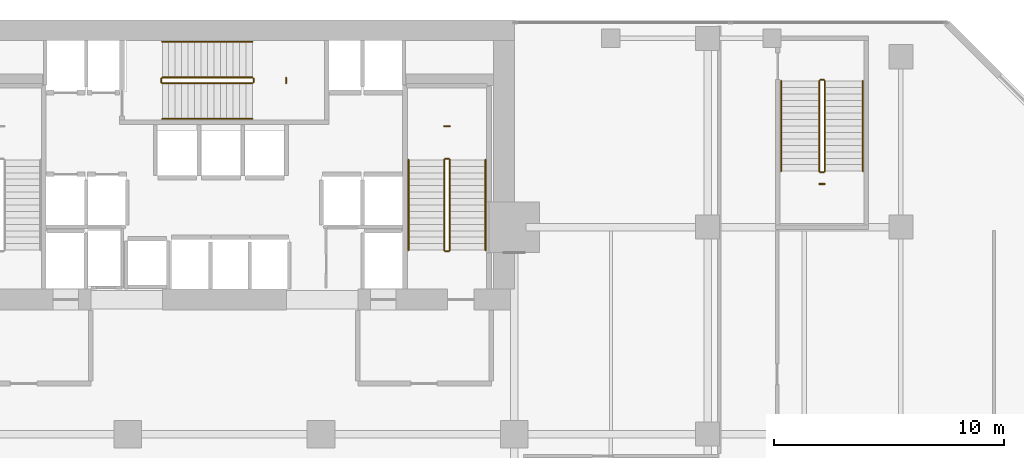
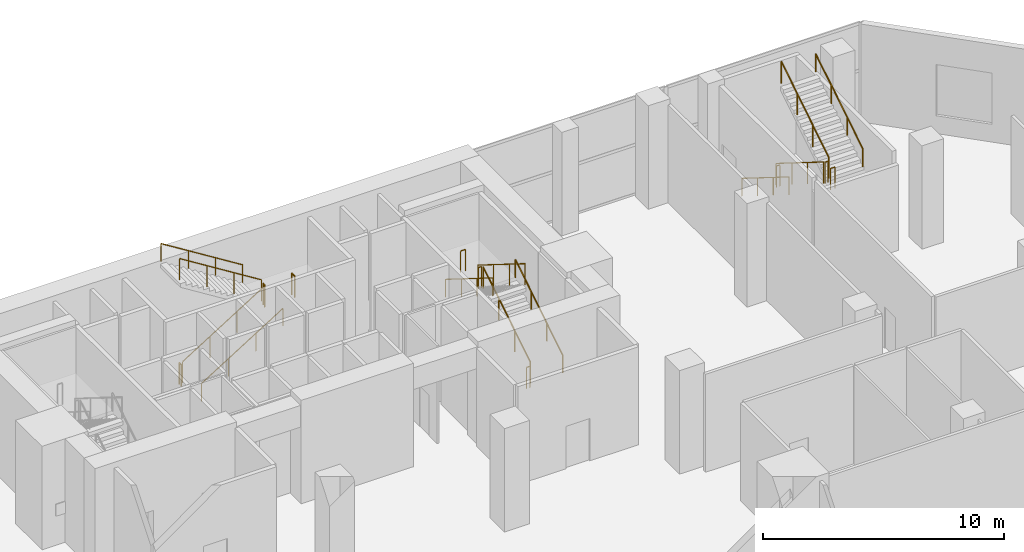
# One storey, part 40 of 40: 21 railings.
"""IFC4 building model written with IfcOpenShell, lengths in metres."""

from ifc_helpers import new_model, si_unit, direction, frame, origin, origin_2d, place, context, subcontext, project, spatial, circle, extrude, material, type_object, element, save


model = new_model("IFC4")

# Units and contexts
model_context = context("Model", 3, precision=1e-05, world=origin(), true_north=direction((0.0, 1.0)))
body_context = subcontext(model_context, "Body", "Model", "MODEL_VIEW")
ifc_project = project(units=[si_unit("LENGTHUNIT", "METRE"), si_unit("AREAUNIT", "SQUARE_METRE"), si_unit("VOLUMEUNIT", "CUBIC_METRE"), si_unit("PLANEANGLEUNIT", "RADIAN"), si_unit("MASSUNIT", "GRAM", prefix="KILO")], contexts=[model_context])

# Site, building, storey
site_placement = place(None, origin())
site = spatial("IfcSite", under=ifc_project, at=site_placement, CompositionType="ELEMENT")
building_placement = place(site_placement, origin())
building = spatial("IfcBuilding", under=site, at=building_placement, Name="Maruvema Waterfront Hotel and Observation Tower", CompositionType="ELEMENT")
storey_placement = place(building_placement, frame((0.0, 0.0, 5.60009765625)))
storey = spatial("IfcBuildingStorey", under=building, at=storey_placement, Name="L01", CompositionType="ELEMENT", Elevation=5.60009765625)

# Railings
ifc_material_1 = material(Name="Brushed stainless steel Grade 316", Category="steel")
railing_type_1 = type_object("IfcRailingType", Name="Ramp Continuous Wall Handrail 920 mm", PredefinedType="HANDRAIL", material=ifc_material_1)
railing_1_placement = place(storey_placement, frame((35.10009765625, 49.699951171875, 0.1748046875)))
element("IfcRailing", 1, at=railing_1_placement, inside=storey, type_object=railing_type_1, Name="L01 ST-02 stair handrail 1", PredefinedType="HANDRAIL", context=body_context, shape_type="SweptSolid", body=[
    extrude(circle(Radius=0.02392578125, at=origin_2d()), frame((0.0, 0.0, 0.89599609375), z_axis=(0.847974566722, 0.0, 0.530036917764), x_axis=(0.0, 1.0, 0.0)), (0.0, 0.0, 1.0), 4.622802734375),
    extrude(circle(Radius=0.02099609375, at=origin_2d()), origin(), (0.0, 0.0, 1.0), 0.871826171875),
    extrude(circle(Radius=0.02099609375, at=origin_2d()), frame((1.306640625, 0.0, 0.816650390625)), (0.0, 0.0, 1.0), 0.871826171875),
    extrude(circle(Radius=0.02099609375, at=origin_2d()), frame((2.61328125, 0.0, 1.633544921875)), (0.0, 0.0, 1.0), 0.871826171875),
    extrude(circle(Radius=0.02099609375, at=origin_2d()), frame((3.919921875, 0.0, 2.4501953125)), (0.0, 0.0, 1.0), 0.871826171875),
])
railing_2_placement = place(storey_placement, frame((39.02001953125, 53.050048828125, 2.7998046875)))
element("IfcRailing", 2, at=railing_2_placement, inside=storey, type_object=railing_type_1, Name="L01 ST-02 stair handrail 2", PredefinedType="HANDRAIL", context=body_context, shape_type="SweptSolid", body=[
    extrude(circle(Radius=0.02392578125, at=origin_2d()), frame((0.0, 0.0, 0.89599609375), z_axis=(-0.847974566722, 0.0, 0.530036917764), x_axis=(0.0, -1.0, 0.0)), (0.0, 0.0, 1.0), 4.622802734375),
    extrude(circle(Radius=0.02099609375, at=origin_2d()), origin(), (0.0, 0.0, 1.0), 0.871826171875),
    extrude(circle(Radius=0.02099609375, at=origin_2d()), frame((-1.306640625, 0.0, 0.816650390625)), (0.0, 0.0, 1.0), 0.871826171875),
    extrude(circle(Radius=0.02099609375, at=origin_2d()), frame((-2.61328125, 0.0, 1.633544921875)), (0.0, 0.0, 1.0), 0.871826171875),
    extrude(circle(Radius=0.02099609375, at=origin_2d()), frame((-3.919921875, 0.0, 2.4501953125)), (0.0, 0.0, 1.0), 0.871826171875),
])
railing_3_placement = place(storey_placement, frame((49.14990234375, 44.0, 0.1748046875)))
element("IfcRailing", 3, at=railing_3_placement, inside=storey, type_object=railing_type_1, Name="L01 ST-03 stair handrail 1", PredefinedType="HANDRAIL", context=body_context, shape_type="SweptSolid", body=[
    extrude(circle(Radius=0.02392578125, at=origin_2d()), frame((0.0, 0.0, 0.89599609375), z_axis=(0.0, 0.847974566722, 0.530036917764), x_axis=(-1.0, 0.0, 0.0)), (0.0, 0.0, 1.0), 4.622802734375),
    extrude(circle(Radius=0.02099609375, at=origin_2d()), origin(), (0.0, 0.0, 1.0), 0.871826171875),
    extrude(circle(Radius=0.02099609375, at=origin_2d()), frame((0.0, 1.306640625, 0.816650390625)), (0.0, 0.0, 1.0), 0.871826171875),
    extrude(circle(Radius=0.02099609375, at=origin_2d()), frame((0.0, 2.61328125, 1.633544921875)), (0.0, 0.0, 1.0), 0.871826171875),
    extrude(circle(Radius=0.02099609375, at=origin_2d()), frame((0.0, 3.919921875, 2.4501953125)), (0.0, 0.0, 1.0), 0.871826171875),
])
railing_4_placement = place(storey_placement, frame((45.800048828125, 47.919921875, 2.7998046875)))
element("IfcRailing", 4, at=railing_4_placement, inside=storey, type_object=railing_type_1, Name="L01 ST-03 stair handrail 2", PredefinedType="HANDRAIL", context=body_context, shape_type="SweptSolid", body=[
    extrude(circle(Radius=0.02392578125, at=origin_2d()), frame((0.0, 0.0, 0.89599609375), z_axis=(0.0, -0.847974566722, 0.530036917764), x_axis=(1.0, 0.0, 0.0)), (0.0, 0.0, 1.0), 4.622802734375),
    extrude(circle(Radius=0.02099609375, at=origin_2d()), origin(), (0.0, 0.0, 1.0), 0.871826171875),
    extrude(circle(Radius=0.02099609375, at=origin_2d()), frame((0.0, -1.306640625, 0.816650390625)), (0.0, 0.0, 1.0), 0.871826171875),
    extrude(circle(Radius=0.02099609375, at=origin_2d()), frame((0.0, -2.61328125, 1.633544921875)), (0.0, 0.0, 1.0), 0.871826171875),
    extrude(circle(Radius=0.02099609375, at=origin_2d()), frame((0.0, -3.919921875, 2.4501953125)), (0.0, 0.0, 1.0), 0.871826171875),
])
railing_5_placement = place(storey_placement, frame((62.0, 51.35009765625, 0.1748046875)))
element("IfcRailing", 5, at=railing_5_placement, inside=storey, type_object=railing_type_1, Name="L01 ST-05 stair handrail 1", PredefinedType="HANDRAIL", context=body_context, shape_type="SweptSolid", body=[
    extrude(circle(Radius=0.02392578125, at=origin_2d()), frame((0.0, 0.0, 0.89599609375), z_axis=(0.0, -0.847989403122, 0.53001318115), x_axis=(1.0, 0.0, 0.0)), (0.0, 0.0, 1.0), 4.622802734375),
    extrude(circle(Radius=0.02099609375, at=origin_2d()), origin(), (0.0, 0.0, 1.0), 0.871826171875),
    extrude(circle(Radius=0.02099609375, at=origin_2d()), frame((0.0, -1.306640625, 0.816650390625)), (0.0, 0.0, 1.0), 0.871826171875),
    extrude(circle(Radius=0.02099609375, at=origin_2d()), frame((0.0, -2.613525390625, 1.633544921875)), (0.0, 0.0, 1.0), 0.871826171875),
    extrude(circle(Radius=0.02099609375, at=origin_2d()), frame((0.0, -3.920166015625, 2.4501953125)), (0.0, 0.0, 1.0), 0.871826171875),
])
railing_6_placement = place(storey_placement, frame((65.550048828125, 47.429931640625, 2.7998046875)))
element("IfcRailing", 6, at=railing_6_placement, inside=storey, type_object=railing_type_1, Name="L01 ST-05 stair handrail 2", PredefinedType="HANDRAIL", context=body_context, shape_type="SweptSolid", body=[
    extrude(circle(Radius=0.02392578125, at=origin_2d()), frame((0.0, 0.0, 0.89599609375), z_axis=(0.0, 0.847989403122, 0.53001318115), x_axis=(-1.0, 0.0, 0.0)), (0.0, 0.0, 1.0), 4.622802734375),
    extrude(circle(Radius=0.02099609375, at=origin_2d()), origin(), (0.0, 0.0, 1.0), 0.871826171875),
    extrude(circle(Radius=0.02099609375, at=origin_2d()), frame((0.0, 1.306640625, 0.816650390625)), (0.0, 0.0, 1.0), 0.871826171875),
    extrude(circle(Radius=0.02099609375, at=origin_2d()), frame((0.0, 2.613525390625, 1.633544921875)), (0.0, 0.0, 1.0), 0.871826171875),
    extrude(circle(Radius=0.02099609375, at=origin_2d()), frame((0.0, 3.920166015625, 2.4501953125)), (0.0, 0.0, 1.0), 0.871826171875),
])
ifc_material_2 = material(Name="Brushed stainless steel Grade 316", Category="steel")
railing_type_2 = type_object("IfcRailingType", Name="Ramp and Terrace Guard Balustrade 1100 mm", PredefinedType="BALUSTRADE", material=ifc_material_2)
railing_7_placement = place(storey_placement, frame((35.10009765625, 51.25, 0.1748046875)))
element("IfcRailing", 7, at=railing_7_placement, inside=storey, type_object=railing_type_2, Name="L01 ST-02 stair guard 1", PredefinedType="BALUSTRADE", context=body_context, shape_type="SweptSolid", body=[
    extrude(circle(Radius=0.02392578125, at=origin_2d()), frame((0.0, 0.0, 1.076171875), z_axis=(0.847974566722, 0.0, 0.530036917764), x_axis=(0.0, 1.0, 0.0)), (0.0, 0.0, 1.0), 4.622802734375),
    extrude(circle(Radius=0.02099609375, at=origin_2d()), origin(), (0.0, 0.0, 1.0), 1.052001953125),
    extrude(circle(Radius=0.02099609375, at=origin_2d()), frame((1.306640625, 0.0, 0.816650390625)), (0.0, 0.0, 1.0), 1.052001953125),
    extrude(circle(Radius=0.02099609375, at=origin_2d()), frame((2.61328125, 0.0, 1.633544921875)), (0.0, 0.0, 1.0), 1.052001953125),
    extrude(circle(Radius=0.02099609375, at=origin_2d()), frame((3.919921875, 0.0, 2.4501953125)), (0.0, 0.0, 1.0), 1.052001953125),
])
railing_8_placement = place(storey_placement, frame((39.070068359375, 51.300048828125, 2.625)))
element("IfcRailing", 8, at=railing_8_placement, inside=storey, type_object=railing_type_2, Name="L01 ST-02 stair guard 2", PredefinedType="BALUSTRADE", context=body_context, shape_type="SweptSolid", body=[
    extrude(circle(Radius=0.02392578125, at=origin_2d()), frame((0.0, 0.0, 1.076171875), z_axis=(0.0, 1.0, 0.0), x_axis=(-1.0, 0.0, 0.0)), (0.0, 0.0, 1.0), 0.14990234375),
    extrude(circle(Radius=0.02099609375, at=origin_2d()), origin(), (0.0, 0.0, 1.0), 1.052001953125),
    extrude(circle(Radius=0.02099609375, at=origin_2d()), frame((0.0, 0.14990234375, 0.0)), (0.0, 0.0, 1.0), 1.052001953125),
])
railing_9_placement = place(storey_placement, frame((39.02001953125, 51.5, 2.7998046875)))
element("IfcRailing", 9, at=railing_9_placement, inside=storey, type_object=railing_type_2, Name="L01 ST-02 stair guard 3", PredefinedType="BALUSTRADE", context=body_context, shape_type="SweptSolid", body=[
    extrude(circle(Radius=0.02392578125, at=origin_2d()), frame((0.0, 0.0, 1.076171875), z_axis=(-0.847974566722, 0.0, 0.530036917764), x_axis=(0.0, -1.0, 0.0)), (0.0, 0.0, 1.0), 4.622802734375),
    extrude(circle(Radius=0.02099609375, at=origin_2d()), origin(), (0.0, 0.0, 1.0), 1.052001953125),
    extrude(circle(Radius=0.02099609375, at=origin_2d()), frame((-1.306640625, 0.0, 0.816650390625)), (0.0, 0.0, 1.0), 1.052001953125),
    extrude(circle(Radius=0.02099609375, at=origin_2d()), frame((-2.61328125, 0.0, 1.633544921875)), (0.0, 0.0, 1.0), 1.052001953125),
    extrude(circle(Radius=0.02099609375, at=origin_2d()), frame((-3.919921875, 0.0, 2.4501953125)), (0.0, 0.0, 1.0), 1.052001953125),
])
railing_10_placement = place(storey_placement, frame((35.050048828125, 51.300048828125, 0.0)))
element("IfcRailing", 10, at=railing_10_placement, inside=storey, type_object=railing_type_2, Name="L01 ST-02 stair guard 4", PredefinedType="BALUSTRADE", context=body_context, shape_type="SweptSolid", body=[
    extrude(circle(Radius=0.02392578125, at=origin_2d()), frame((0.0, 0.0, 1.076171875), z_axis=(0.0, 1.0, 0.0), x_axis=(-1.0, 0.0, 0.0)), (0.0, 0.0, 1.0), 0.14990234375),
    extrude(circle(Radius=0.02099609375, at=origin_2d()), origin(), (0.0, 0.0, 1.0), 1.052001953125),
    extrude(circle(Radius=0.02099609375, at=origin_2d()), frame((0.0, 0.14990234375, 0.0)), (0.0, 0.0, 1.0), 1.052001953125),
])
railing_11_placement = place(storey_placement, frame((40.47998046875, 51.260009765625, 2.625)))
element("IfcRailing", 11, at=railing_11_placement, inside=storey, type_object=railing_type_2, Name="L01 ST-02 Half-Landing Slot Guard", PredefinedType="BALUSTRADE", context=body_context, shape_type="SweptSolid", body=[
    extrude(circle(Radius=0.02392578125, at=origin_2d()), frame((0.0, 0.0, 1.076171875), z_axis=(0.0, 1.0, 0.0), x_axis=(-1.0, 0.0, 0.0)), (0.0, 0.0, 1.0), 0.22998046875),
    extrude(circle(Radius=0.02099609375, at=origin_2d()), origin(), (0.0, 0.0, 1.0), 1.052001953125),
    extrude(circle(Radius=0.02099609375, at=origin_2d()), frame((0.0, 0.22998046875, 0.0)), (0.0, 0.0, 1.0), 1.052001953125),
])
railing_12_placement = place(storey_placement, frame((47.60009765625, 44.0, 0.1748046875)))
element("IfcRailing", 12, at=railing_12_placement, inside=storey, type_object=railing_type_2, Name="L01 ST-03 stair guard 1", PredefinedType="BALUSTRADE", context=body_context, shape_type="SweptSolid", body=[
    extrude(circle(Radius=0.02392578125, at=origin_2d()), frame((0.0, 0.0, 1.076171875), z_axis=(0.0, 0.847974566722, 0.530036917764), x_axis=(-1.0, 0.0, 0.0)), (0.0, 0.0, 1.0), 4.622802734375),
    extrude(circle(Radius=0.02099609375, at=origin_2d()), origin(), (0.0, 0.0, 1.0), 1.052001953125),
    extrude(circle(Radius=0.02099609375, at=origin_2d()), frame((0.0, 1.306640625, 0.816650390625)), (0.0, 0.0, 1.0), 1.052001953125),
    extrude(circle(Radius=0.02099609375, at=origin_2d()), frame((0.0, 2.61328125, 1.633544921875)), (0.0, 0.0, 1.0), 1.052001953125),
    extrude(circle(Radius=0.02099609375, at=origin_2d()), frame((0.0, 3.919921875, 2.4501953125)), (0.0, 0.0, 1.0), 1.052001953125),
])
railing_13_placement = place(storey_placement, frame((47.550048828125, 47.969970703125, 2.625)))
element("IfcRailing", 13, at=railing_13_placement, inside=storey, type_object=railing_type_2, Name="L01 ST-03 stair guard 2", PredefinedType="BALUSTRADE", context=body_context, shape_type="SweptSolid", body=[
    extrude(circle(Radius=0.02392578125, at=origin_2d()), frame((0.0, 0.0, 1.076171875), z_axis=(-1.0, 0.0, 0.0), x_axis=(0.0, -1.0, 0.0)), (0.0, 0.0, 1.0), 0.150146484375),
    extrude(circle(Radius=0.02099609375, at=origin_2d()), origin(), (0.0, 0.0, 1.0), 1.052001953125),
    extrude(circle(Radius=0.02099609375, at=origin_2d()), frame((-0.150146484375, 0.0, 0.0)), (0.0, 0.0, 1.0), 1.052001953125),
])
railing_14_placement = place(storey_placement, frame((47.35009765625, 47.919921875, 2.7998046875)))
element("IfcRailing", 14, at=railing_14_placement, inside=storey, type_object=railing_type_2, Name="L01 ST-03 stair guard 3", PredefinedType="BALUSTRADE", context=body_context, shape_type="SweptSolid", body=[
    extrude(circle(Radius=0.02392578125, at=origin_2d()), frame((0.0, 0.0, 1.076171875), z_axis=(0.0, -0.847974566722, 0.530036917764), x_axis=(1.0, 0.0, 0.0)), (0.0, 0.0, 1.0), 4.622802734375),
    extrude(circle(Radius=0.02099609375, at=origin_2d()), origin(), (0.0, 0.0, 1.0), 1.052001953125),
    extrude(circle(Radius=0.02099609375, at=origin_2d()), frame((0.0, -1.306640625, 0.816650390625)), (0.0, 0.0, 1.0), 1.052001953125),
    extrude(circle(Radius=0.02099609375, at=origin_2d()), frame((0.0, -2.61328125, 1.633544921875)), (0.0, 0.0, 1.0), 1.052001953125),
    extrude(circle(Radius=0.02099609375, at=origin_2d()), frame((0.0, -3.919921875, 2.4501953125)), (0.0, 0.0, 1.0), 1.052001953125),
])
railing_15_placement = place(storey_placement, frame((47.550048828125, 43.949951171875, 0.0)))
element("IfcRailing", 15, at=railing_15_placement, inside=storey, type_object=railing_type_2, Name="L01 ST-03 stair guard 4", PredefinedType="BALUSTRADE", context=body_context, shape_type="SweptSolid", body=[
    extrude(circle(Radius=0.02392578125, at=origin_2d()), frame((0.0, 0.0, 1.076171875), z_axis=(-1.0, 0.0, 0.0), x_axis=(0.0, -1.0, 0.0)), (0.0, 0.0, 1.0), 0.150146484375),
    extrude(circle(Radius=0.02099609375, at=origin_2d()), origin(), (0.0, 0.0, 1.0), 1.052001953125),
    extrude(circle(Radius=0.02099609375, at=origin_2d()), frame((-0.150146484375, 0.0, 0.0)), (0.0, 0.0, 1.0), 1.052001953125),
])
railing_16_placement = place(storey_placement, frame((47.590087890625, 49.3798828125, 2.625)))
element("IfcRailing", 16, at=railing_16_placement, inside=storey, type_object=railing_type_2, Name="L01 ST-03 Half-Landing Slot Guard", PredefinedType="BALUSTRADE", context=body_context, shape_type="SweptSolid", body=[
    extrude(circle(Radius=0.02392578125, at=origin_2d()), frame((0.0, 0.0, 1.076171875), z_axis=(-1.0, 0.0, 0.0), x_axis=(0.0, -1.0, 0.0)), (0.0, 0.0, 1.0), 0.22998046875),
    extrude(circle(Radius=0.02099609375, at=origin_2d()), origin(), (0.0, 0.0, 1.0), 1.052001953125),
    extrude(circle(Radius=0.02099609375, at=origin_2d()), frame((-0.22998046875, 0.0, 0.0)), (0.0, 0.0, 1.0), 1.052001953125),
])
railing_17_placement = place(storey_placement, frame((63.64990234375, 51.35009765625, 0.1748046875)))
element("IfcRailing", 17, at=railing_17_placement, inside=storey, type_object=railing_type_2, Name="L01 ST-05 stair guard 1", PredefinedType="BALUSTRADE", context=body_context, shape_type="SweptSolid", body=[
    extrude(circle(Radius=0.02392578125, at=origin_2d()), frame((0.0, 0.0, 1.076171875), z_axis=(0.0, -0.847989403122, 0.53001318115), x_axis=(1.0, 0.0, 0.0)), (0.0, 0.0, 1.0), 4.622802734375),
    extrude(circle(Radius=0.02099609375, at=origin_2d()), origin(), (0.0, 0.0, 1.0), 1.052001953125),
    extrude(circle(Radius=0.02099609375, at=origin_2d()), frame((0.0, -1.306640625, 0.816650390625)), (0.0, 0.0, 1.0), 1.052001953125),
    extrude(circle(Radius=0.02099609375, at=origin_2d()), frame((0.0, -2.613525390625, 1.633544921875)), (0.0, 0.0, 1.0), 1.052001953125),
    extrude(circle(Radius=0.02099609375, at=origin_2d()), frame((0.0, -3.920166015625, 2.4501953125)), (0.0, 0.0, 1.0), 1.052001953125),
])
railing_18_placement = place(storey_placement, frame((63.699951171875, 47.3798828125, 2.625)))
element("IfcRailing", 18, at=railing_18_placement, inside=storey, type_object=railing_type_2, Name="L01 ST-05 stair guard 2", PredefinedType="BALUSTRADE", context=body_context, shape_type="SweptSolid", body=[
    extrude(circle(Radius=0.02392578125, at=origin_2d()), frame((0.0, 0.0, 1.076171875), z_axis=(1.0, 0.0, 0.0), x_axis=(0.0, 1.0, 0.0)), (0.0, 0.0, 1.0), 0.150146484375),
    extrude(circle(Radius=0.02099609375, at=origin_2d()), origin(), (0.0, 0.0, 1.0), 1.052001953125),
    extrude(circle(Radius=0.02099609375, at=origin_2d()), frame((0.150146484375, 0.0, 0.0)), (0.0, 0.0, 1.0), 1.052001953125),
])
railing_19_placement = place(storey_placement, frame((63.89990234375, 47.429931640625, 2.7998046875)))
element("IfcRailing", 19, at=railing_19_placement, inside=storey, type_object=railing_type_2, Name="L01 ST-05 stair guard 3", PredefinedType="BALUSTRADE", context=body_context, shape_type="SweptSolid", body=[
    extrude(circle(Radius=0.02392578125, at=origin_2d()), frame((0.0, 0.0, 1.076171875), z_axis=(0.0, 0.847989403122, 0.53001318115), x_axis=(-1.0, 0.0, 0.0)), (0.0, 0.0, 1.0), 4.622802734375),
    extrude(circle(Radius=0.02099609375, at=origin_2d()), origin(), (0.0, 0.0, 1.0), 1.052001953125),
    extrude(circle(Radius=0.02099609375, at=origin_2d()), frame((0.0, 1.306640625, 0.816650390625)), (0.0, 0.0, 1.0), 1.052001953125),
    extrude(circle(Radius=0.02099609375, at=origin_2d()), frame((0.0, 2.613525390625, 1.633544921875)), (0.0, 0.0, 1.0), 1.052001953125),
    extrude(circle(Radius=0.02099609375, at=origin_2d()), frame((0.0, 3.920166015625, 2.4501953125)), (0.0, 0.0, 1.0), 1.052001953125),
])
railing_20_placement = place(storey_placement, frame((63.699951171875, 51.39990234375, 0.0)))
element("IfcRailing", 20, at=railing_20_placement, inside=storey, type_object=railing_type_2, Name="L01 ST-05 stair guard 4", PredefinedType="BALUSTRADE", context=body_context, shape_type="SweptSolid", body=[
    extrude(circle(Radius=0.02392578125, at=origin_2d()), frame((0.0, 0.0, 1.076171875), z_axis=(1.0, 0.0, 0.0), x_axis=(0.0, 1.0, 0.0)), (0.0, 0.0, 1.0), 0.150146484375),
    extrude(circle(Radius=0.02099609375, at=origin_2d()), origin(), (0.0, 0.0, 1.0), 1.052001953125),
    extrude(circle(Radius=0.02099609375, at=origin_2d()), frame((0.150146484375, 0.0, 0.0)), (0.0, 0.0, 1.0), 1.052001953125),
])
railing_21_placement = place(storey_placement, frame((63.659912109375, 46.8701171875, 2.625)))
element("IfcRailing", 21, at=railing_21_placement, inside=storey, type_object=railing_type_2, Name="L01 ST-05 Half-Landing Slot Guard", PredefinedType="BALUSTRADE", context=body_context, shape_type="SweptSolid", body=[
    extrude(circle(Radius=0.02392578125, at=origin_2d()), frame((0.0, 0.0, 1.076171875), z_axis=(1.0, 0.0, 0.0), x_axis=(0.0, 1.0, 0.0)), (0.0, 0.0, 1.0), 0.22998046875),
    extrude(circle(Radius=0.02099609375, at=origin_2d()), origin(), (0.0, 0.0, 1.0), 1.052001953125),
    extrude(circle(Radius=0.02099609375, at=origin_2d()), frame((0.22998046875, 0.0, 0.0)), (0.0, 0.0, 1.0), 1.052001953125),
])

save(model, "model.ifc")
